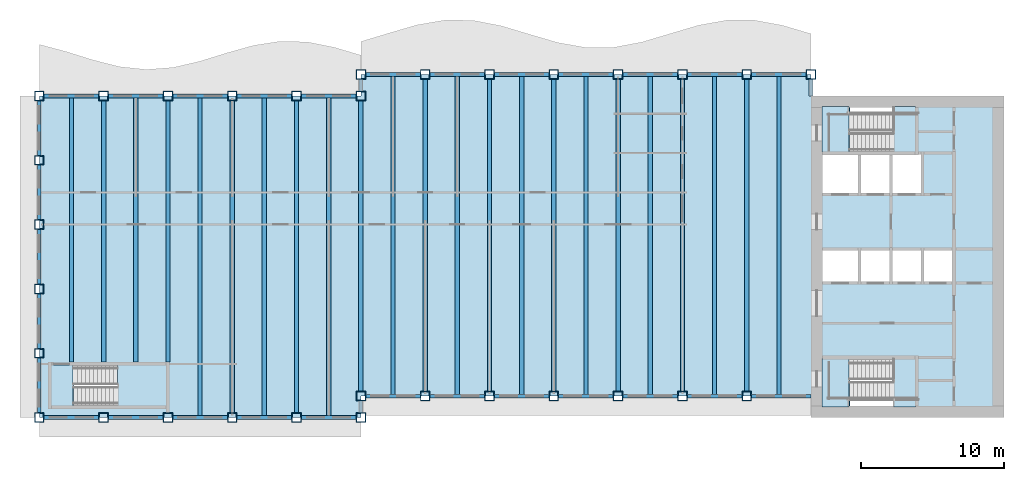
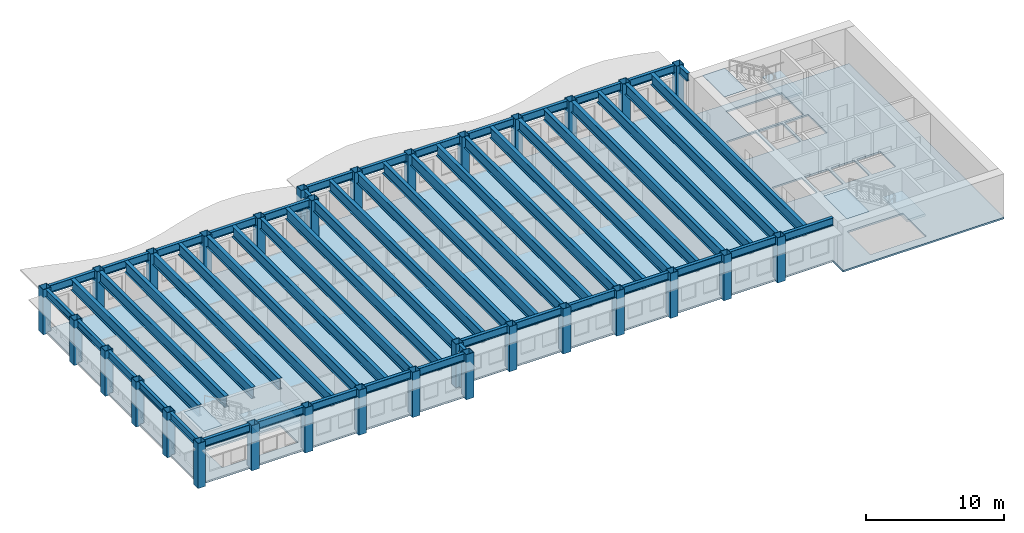
# One storey, part 1 of 12: 55 beams, 31 columns, 7 slabs, 3 elements without a shape of their own.
"""IFC4 building model written with IfcOpenShell, lengths in metres."""

from ifc_helpers import new_model, si_unit, direction, frame, origin, origin_2d, place, context, subcontext, project, spatial, polyline, hollow_rectangle, i_section, outline, extrude, material, layer, layer_set, material_profile, profile_set, type_object, element, aggregate, save


model = new_model("IFC4")

# Units and contexts
model_context = context("Model", 3, precision=1e-05, world=origin(), true_north=direction((0.0, 1.0)))
body_context = subcontext(model_context, "Body", "Model", "MODEL_VIEW")
ifc_project = project(units=[si_unit("LENGTHUNIT", "METRE"), si_unit("AREAUNIT", "SQUARE_METRE"), si_unit("VOLUMEUNIT", "CUBIC_METRE"), si_unit("PLANEANGLEUNIT", "RADIAN"), si_unit("MASSUNIT", "GRAM", prefix="KILO")], contexts=[model_context])

# Site, building, storey
site_placement = place(None, origin())
site = spatial("IfcSite", under=ifc_project, at=site_placement, CompositionType="ELEMENT")
building_placement = place(site_placement, origin())
building = spatial("IfcBuilding", under=site, at=building_placement, Name="Sennacour Bend Tower", CompositionType="ELEMENT")
storey_placement = place(building_placement, frame((0.0, 0.0, 281.0)))
storey = spatial("IfcBuildingStorey", under=building, at=storey_placement, Name="L65", CompositionType="ELEMENT", Elevation=281.0)

# Columns
ifc_material_1 = material(Name="Steel ASTM A572 Grade 50", Category="steel")
ifc_material_profile_1 = material_profile(ifc_material_1, hollow_rectangle(XDim=0.64990234375, YDim=0.64990234375, WallThickness=0.031982421875, at=origin_2d()), Name="Steel ASTM A572 Grade 50", Category="steel")
ifc_profile_set_1 = profile_set([ifc_material_profile_1], Name="Steel ASTM A572 Grade 50")
column_type = type_object("IfcColumnType", Name="Box column 650", PredefinedType="COLUMN", material=ifc_profile_set_1)
for number, where, z_axis, x_axis, name in (
    (1, (0.0, 0.0, -0.14990234375), (0.0, 0.0, 1.0), (1.0, 0.0, 0.0), "Perimeter column C5 L65-001"),
    (2, (0.0, 4.5, -0.14990234375), (0.0, 0.0, 1.0), (1.0, 0.0, 0.0), "Perimeter column C5 L65-002"),
    (3, (0.0, 9.0, -0.14990234375), (0.0, 0.0, 1.0), (1.0, 0.0, 0.0), "Perimeter column C5 L65-003"),
    (4, (0.0, 13.5, -0.14990234375), (0.0, 0.0, 1.0), (1.0, 0.0, 0.0), "Perimeter column C5 L65-004"),
    (5, (0.0, 18.0, -0.14990234375), (0.0, 0.0, 1.0), (1.0, 0.0, 0.0), "Perimeter column C5 L65-005"),
    (6, (0.0, 22.5, -0.14990234375), (0.0, 0.0, 1.0), (1.0, 0.0, 0.0), "Perimeter column C5 L65-006"),
    (7, (4.5, 0.0, -0.14990234375), (0.0, 0.0, 1.0), (1.0, 0.0, 0.0), "Perimeter column C5 L65-007"),
    (8, (4.5, 22.5, -0.14990234375), (0.0, 0.0, 1.0), (1.0, 0.0, 0.0), "Perimeter column C5 L65-008"),
    (9, (9.0, 0.0, -0.14990234375), (0.0, 0.0, 1.0), (1.0, 0.0, 0.0), "Perimeter column C5 L65-009"),
    (10, (9.0, 22.5, -0.14990234375), (0.0, 0.0, 1.0), (1.0, 0.0, 0.0), "Perimeter column C5 L65-010"),
    (11, (13.5, 0.0, -0.14990234375), (0.0, 0.0, 1.0), (1.0, 0.0, 0.0), "Perimeter column C5 L65-011"),
    (12, (13.5, 22.5, -0.14990234375), (0.0, 0.0, 1.0), (1.0, 0.0, 0.0), "Perimeter column C5 L65-012"),
    (13, (18.0, 0.0, -0.14990234375), (0.0, 0.0, 1.0), (1.0, 0.0, 0.0), "Perimeter column C5 L65-013"),
    (14, (18.0, 22.5, -0.14990234375), (0.0, 0.0, 1.0), (1.0, 0.0, 0.0), "Perimeter column C5 L65-014"),
    (15, (22.5, 0.0, -0.14990234375), (0.0, 0.0, 1.0), (1.0, 0.0, 0.0), "Perimeter column C5 L65-015"),
    (16, (22.5, 1.5, -0.14990234375), (0.0, 0.0, 1.0), (1.0, 0.0, 0.0), "Perimeter column C5 L65-016"),
    (17, (22.5, 22.5, -0.14990234375), (0.0, 0.0, 1.0), (1.0, 0.0, 0.0), "Perimeter column C5 L65-017"),
    (18, (22.5, 24.0, -0.14990234375), (0.0, 0.0, 1.0), (1.0, 0.0, 0.0), "Perimeter column C5 L65-018"),
    (19, (27.0, 1.5, -0.14990234375), (0.0, 0.0, 1.0), (1.0, 0.0, 0.0), "Perimeter column C5 L65-019"),
    (20, (27.0, 24.0, -0.14990234375), (0.0, 0.0, 1.0), (1.0, 0.0, 0.0), "Perimeter column C5 L65-020"),
    (21, (31.5, 1.5, -0.14990234375), (0.0, 0.0, 1.0), (1.0, 0.0, 0.0), "Perimeter column C5 L65-021"),
    (22, (31.5, 24.0, -0.14990234375), (0.0, 0.0, 1.0), (1.0, 0.0, 0.0), "Perimeter column C5 L65-022"),
    (23, (36.0, 1.5, -0.14990234375), (0.0, 0.0, 1.0), (1.0, 0.0, 0.0), "Perimeter column C5 L65-023"),
    (24, (36.0, 24.0, -0.14990234375), (0.0, 0.0, 1.0), (1.0, 0.0, 0.0), "Perimeter column C5 L65-024"),
    (25, (40.5, 1.5, -0.14990234375), (0.0, 0.0, 1.0), (1.0, 0.0, 0.0), "Perimeter column C5 L65-025"),
    (26, (40.5, 24.0, -0.14990234375), (0.0, 0.0, 1.0), (1.0, 0.0, 0.0), "Perimeter column C5 L65-026"),
    (27, (45.0, 1.5, -0.14990234375), (0.0, 0.0, 1.0), (1.0, 0.0, 0.0), "Perimeter column C5 L65-027"),
    (28, (45.0, 24.0, -0.14990234375), (0.0, 0.0, 1.0), (1.0, 0.0, 0.0), "Perimeter column C5 L65-028"),
    (29, (49.5, 1.5, -0.14990234375), (0.0, 0.0, 1.0), (1.0, 0.0, 0.0), "Perimeter column C5 L65-029"),
    (30, (49.5, 24.0, -0.14990234375), (0.0, 0.0, 1.0), (1.0, 0.0, 0.0), "Perimeter column C5 L65-030"),
    (31, (54.0, 24.0, -0.14990234375), (0.0, 0.0, 1.0), (1.0, 0.0, 0.0), "Perimeter column C5 L65-031"),
):
    element("IfcColumn", number, at=place(storey_placement, frame(where, z_axis=z_axis, x_axis=x_axis)), inside=storey, type_object=column_type, Name=name, PredefinedType="COLUMN", context=body_context, shape_type="SweptSolid", body=[
        extrude(hollow_rectangle(XDim=0.64990234375, YDim=0.64990234375, WallThickness=0.031982421875, at=origin_2d()), origin(), (0.0, 0.0, 1.0), 4.0),
    ])

# Beams
ifc_material_2 = material(Name="Steel ASTM A992 Grade 50", Category="steel")
ifc_material_profile_2 = material_profile(ifc_material_2, i_section(OverallWidth=0.300048828125, OverallDepth=0.97998046875, WebThickness=0.0166015625, FlangeThickness=0.026123046875, FilletRadius=0.02978515625, at=origin_2d()), Name="Steel ASTM A992 Grade 50", Category="steel")
ifc_profile_set_2 = profile_set([ifc_material_profile_2], Name="Steel ASTM A992 Grade 50")
beam_type_1 = type_object("IfcBeamType", Name="Floor beam W1000X249", PredefinedType="BEAM", material=ifc_profile_set_2)
beam_1_placement = place(storey_placement, frame((2.25, 3.875, 3.360107421875), z_axis=(0.0, 1.0, 0.0), x_axis=(-1.0, 0.0, 0.0)))
element("IfcBeam", 32, at=beam_1_placement, inside=storey, type_object=beam_type_1, Name="Floor beam FBM2 L66-001", PredefinedType="BEAM", context=body_context, shape_type="SweptSolid", body=[
    extrude(i_section(OverallWidth=0.300048828125, OverallDepth=0.97998046875, WebThickness=0.0166015625, FlangeThickness=0.026123046875, FilletRadius=0.02978515625, at=origin_2d()), origin(), (0.0, 0.0, 1.0), 18.498046875),
])
beam_2_placement = place(storey_placement, frame((4.5, 3.875, 3.360107421875), z_axis=(0.0, 1.0, 0.0), x_axis=(-1.0, 0.0, 0.0)))
element("IfcBeam", 33, at=beam_2_placement, inside=storey, type_object=beam_type_1, Name="Floor beam FBM2 L66-002", PredefinedType="BEAM", context=body_context, shape_type="SweptSolid", body=[
    extrude(i_section(OverallWidth=0.300048828125, OverallDepth=0.97998046875, WebThickness=0.0166015625, FlangeThickness=0.026123046875, FilletRadius=0.02978515625, at=origin_2d()), origin(), (0.0, 0.0, 1.0), 18.300048828125),
])
beam_3_placement = place(storey_placement, frame((6.75, 3.875, 3.360107421875), z_axis=(0.0, 1.0, 0.0), x_axis=(-1.0, 0.0, 0.0)))
element("IfcBeam", 34, at=beam_3_placement, inside=storey, type_object=beam_type_1, Name="Floor beam FBM2 L66-003", PredefinedType="BEAM", context=body_context, shape_type="SweptSolid", body=[
    extrude(i_section(OverallWidth=0.300048828125, OverallDepth=0.97998046875, WebThickness=0.0166015625, FlangeThickness=0.026123046875, FilletRadius=0.02978515625, at=origin_2d()), origin(), (0.0, 0.0, 1.0), 18.498046875),
])
beam_4_placement = place(storey_placement, frame((9.0, 3.875, 3.360107421875), z_axis=(0.0, 1.0, 0.0), x_axis=(-1.0, 0.0, 0.0)))
element("IfcBeam", 35, at=beam_4_placement, inside=storey, type_object=beam_type_1, Name="Floor beam FBM2 L66-004", PredefinedType="BEAM", context=body_context, shape_type="SweptSolid", body=[
    extrude(i_section(OverallWidth=0.300048828125, OverallDepth=0.97998046875, WebThickness=0.0166015625, FlangeThickness=0.026123046875, FilletRadius=0.02978515625, at=origin_2d()), origin(), (0.0, 0.0, 1.0), 18.300048828125),
])
beam_5_placement = place(storey_placement, frame((11.25, 0.126953125, 3.360107421875), z_axis=(0.0, 1.0, 0.0), x_axis=(-1.0, 0.0, 0.0)))
element("IfcBeam", 36, at=beam_5_placement, inside=storey, type_object=beam_type_1, Name="Floor beam FBM2 L66-005", PredefinedType="BEAM", context=body_context, shape_type="SweptSolid", body=[
    extrude(i_section(OverallWidth=0.300048828125, OverallDepth=0.97998046875, WebThickness=0.0166015625, FlangeThickness=0.026123046875, FilletRadius=0.02978515625, at=origin_2d()), origin(), (0.0, 0.0, 1.0), 22.24609375),
])
beam_6_placement = place(storey_placement, frame((13.5, 0.324951171875, 3.360107421875), z_axis=(0.0, 1.0, 0.0), x_axis=(-1.0, 0.0, 0.0)))
element("IfcBeam", 37, at=beam_6_placement, inside=storey, type_object=beam_type_1, Name="Floor beam FBM2 L66-006", PredefinedType="BEAM", context=body_context, shape_type="SweptSolid", body=[
    extrude(i_section(OverallWidth=0.300048828125, OverallDepth=0.97998046875, WebThickness=0.0166015625, FlangeThickness=0.026123046875, FilletRadius=0.02978515625, at=origin_2d()), origin(), (0.0, 0.0, 1.0), 21.85009765625),
])
beam_7_placement = place(storey_placement, frame((15.75, 0.126953125, 3.360107421875), z_axis=(0.0, 1.0, 0.0), x_axis=(-1.0, 0.0, 0.0)))
element("IfcBeam", 38, at=beam_7_placement, inside=storey, type_object=beam_type_1, Name="Floor beam FBM2 L66-007", PredefinedType="BEAM", context=body_context, shape_type="SweptSolid", body=[
    extrude(i_section(OverallWidth=0.300048828125, OverallDepth=0.97998046875, WebThickness=0.0166015625, FlangeThickness=0.026123046875, FilletRadius=0.02978515625, at=origin_2d()), origin(), (0.0, 0.0, 1.0), 22.24609375),
])
beam_8_placement = place(storey_placement, frame((18.0, 0.324951171875, 3.360107421875), z_axis=(0.0, 1.0, 0.0), x_axis=(-1.0, 0.0, 0.0)))
element("IfcBeam", 39, at=beam_8_placement, inside=storey, type_object=beam_type_1, Name="Floor beam FBM2 L66-008", PredefinedType="BEAM", context=body_context, shape_type="SweptSolid", body=[
    extrude(i_section(OverallWidth=0.300048828125, OverallDepth=0.97998046875, WebThickness=0.0166015625, FlangeThickness=0.026123046875, FilletRadius=0.02978515625, at=origin_2d()), origin(), (0.0, 0.0, 1.0), 21.85009765625),
])
beam_9_placement = place(storey_placement, frame((20.25, 0.126953125, 3.360107421875), z_axis=(0.0, 1.0, 0.0), x_axis=(-1.0, 0.0, 0.0)))
element("IfcBeam", 40, at=beam_9_placement, inside=storey, type_object=beam_type_1, Name="Floor beam FBM2 L66-009", PredefinedType="BEAM", context=body_context, shape_type="SweptSolid", body=[
    extrude(i_section(OverallWidth=0.300048828125, OverallDepth=0.97998046875, WebThickness=0.0166015625, FlangeThickness=0.026123046875, FilletRadius=0.02978515625, at=origin_2d()), origin(), (0.0, 0.0, 1.0), 22.24609375),
])
beam_10_placement = place(storey_placement, frame((22.5, 1.824951171875, 3.360107421875), z_axis=(0.0, 1.0, 0.0), x_axis=(-1.0, 0.0, 0.0)))
element("IfcBeam", 41, at=beam_10_placement, inside=storey, type_object=beam_type_1, Name="Floor beam FBM2 L66-010", PredefinedType="BEAM", context=body_context, shape_type="SweptSolid", body=[
    extrude(i_section(OverallWidth=0.300048828125, OverallDepth=0.97998046875, WebThickness=0.0166015625, FlangeThickness=0.026123046875, FilletRadius=0.02978515625, at=origin_2d()), origin(), (0.0, 0.0, 1.0), 20.35009765625),
])
beam_11_placement = place(storey_placement, frame((24.75, 1.626953125, 3.360107421875), z_axis=(0.0, 1.0, 0.0), x_axis=(-1.0, 0.0, 0.0)))
element("IfcBeam", 42, at=beam_11_placement, inside=storey, type_object=beam_type_1, Name="Floor beam FBM2 L66-011", PredefinedType="BEAM", context=body_context, shape_type="SweptSolid", body=[
    extrude(i_section(OverallWidth=0.300048828125, OverallDepth=0.97998046875, WebThickness=0.0166015625, FlangeThickness=0.026123046875, FilletRadius=0.02978515625, at=origin_2d()), origin(), (0.0, 0.0, 1.0), 22.24609375),
])
beam_12_placement = place(storey_placement, frame((27.0, 1.824951171875, 3.360107421875), z_axis=(0.0, 1.0, 0.0), x_axis=(-1.0, 0.0, 0.0)))
element("IfcBeam", 43, at=beam_12_placement, inside=storey, type_object=beam_type_1, Name="Floor beam FBM2 L66-012", PredefinedType="BEAM", context=body_context, shape_type="SweptSolid", body=[
    extrude(i_section(OverallWidth=0.300048828125, OverallDepth=0.97998046875, WebThickness=0.0166015625, FlangeThickness=0.026123046875, FilletRadius=0.02978515625, at=origin_2d()), origin(), (0.0, 0.0, 1.0), 21.85009765625),
])
beam_13_placement = place(storey_placement, frame((29.25, 1.626953125, 3.360107421875), z_axis=(0.0, 1.0, 0.0), x_axis=(-1.0, 0.0, 0.0)))
element("IfcBeam", 44, at=beam_13_placement, inside=storey, type_object=beam_type_1, Name="Floor beam FBM2 L66-013", PredefinedType="BEAM", context=body_context, shape_type="SweptSolid", body=[
    extrude(i_section(OverallWidth=0.300048828125, OverallDepth=0.97998046875, WebThickness=0.0166015625, FlangeThickness=0.026123046875, FilletRadius=0.02978515625, at=origin_2d()), origin(), (0.0, 0.0, 1.0), 22.24609375),
])
beam_14_placement = place(storey_placement, frame((31.5, 1.824951171875, 3.360107421875), z_axis=(0.0, 1.0, 0.0), x_axis=(-1.0, 0.0, 0.0)))
element("IfcBeam", 45, at=beam_14_placement, inside=storey, type_object=beam_type_1, Name="Floor beam FBM2 L66-014", PredefinedType="BEAM", context=body_context, shape_type="SweptSolid", body=[
    extrude(i_section(OverallWidth=0.300048828125, OverallDepth=0.97998046875, WebThickness=0.0166015625, FlangeThickness=0.026123046875, FilletRadius=0.02978515625, at=origin_2d()), origin(), (0.0, 0.0, 1.0), 21.85009765625),
])
beam_15_placement = place(storey_placement, frame((33.75, 1.626953125, 3.360107421875), z_axis=(0.0, 1.0, 0.0), x_axis=(-1.0, 0.0, 0.0)))
element("IfcBeam", 46, at=beam_15_placement, inside=storey, type_object=beam_type_1, Name="Floor beam FBM2 L66-015", PredefinedType="BEAM", context=body_context, shape_type="SweptSolid", body=[
    extrude(i_section(OverallWidth=0.300048828125, OverallDepth=0.97998046875, WebThickness=0.0166015625, FlangeThickness=0.026123046875, FilletRadius=0.02978515625, at=origin_2d()), origin(), (0.0, 0.0, 1.0), 22.24609375),
])
beam_16_placement = place(storey_placement, frame((36.0, 1.824951171875, 3.360107421875), z_axis=(0.0, 1.0, 0.0), x_axis=(-1.0, 0.0, 0.0)))
element("IfcBeam", 47, at=beam_16_placement, inside=storey, type_object=beam_type_1, Name="Floor beam FBM2 L66-016", PredefinedType="BEAM", context=body_context, shape_type="SweptSolid", body=[
    extrude(i_section(OverallWidth=0.300048828125, OverallDepth=0.97998046875, WebThickness=0.0166015625, FlangeThickness=0.026123046875, FilletRadius=0.02978515625, at=origin_2d()), origin(), (0.0, 0.0, 1.0), 21.85009765625),
])
beam_17_placement = place(storey_placement, frame((38.25, 1.626953125, 3.360107421875), z_axis=(0.0, 1.0, 0.0), x_axis=(-1.0, 0.0, 0.0)))
element("IfcBeam", 48, at=beam_17_placement, inside=storey, type_object=beam_type_1, Name="Floor beam FBM2 L66-017", PredefinedType="BEAM", context=body_context, shape_type="SweptSolid", body=[
    extrude(i_section(OverallWidth=0.300048828125, OverallDepth=0.97998046875, WebThickness=0.0166015625, FlangeThickness=0.026123046875, FilletRadius=0.02978515625, at=origin_2d()), origin(), (0.0, 0.0, 1.0), 22.24609375),
])
beam_18_placement = place(storey_placement, frame((40.5, 1.824951171875, 3.360107421875), z_axis=(0.0, 1.0, 0.0), x_axis=(-1.0, 0.0, 0.0)))
element("IfcBeam", 49, at=beam_18_placement, inside=storey, type_object=beam_type_1, Name="Floor beam FBM2 L66-018", PredefinedType="BEAM", context=body_context, shape_type="SweptSolid", body=[
    extrude(i_section(OverallWidth=0.300048828125, OverallDepth=0.97998046875, WebThickness=0.0166015625, FlangeThickness=0.026123046875, FilletRadius=0.02978515625, at=origin_2d()), origin(), (0.0, 0.0, 1.0), 21.85009765625),
])
beam_19_placement = place(storey_placement, frame((42.75, 1.626953125, 3.360107421875), z_axis=(0.0, 1.0, 0.0), x_axis=(-1.0, 0.0, 0.0)))
element("IfcBeam", 50, at=beam_19_placement, inside=storey, type_object=beam_type_1, Name="Floor beam FBM2 L66-019", PredefinedType="BEAM", context=body_context, shape_type="SweptSolid", body=[
    extrude(i_section(OverallWidth=0.300048828125, OverallDepth=0.97998046875, WebThickness=0.0166015625, FlangeThickness=0.026123046875, FilletRadius=0.02978515625, at=origin_2d()), origin(), (0.0, 0.0, 1.0), 22.24609375),
])
beam_20_placement = place(storey_placement, frame((45.0, 1.824951171875, 3.360107421875), z_axis=(0.0, 1.0, 0.0), x_axis=(-1.0, 0.0, 0.0)))
element("IfcBeam", 51, at=beam_20_placement, inside=storey, type_object=beam_type_1, Name="Floor beam FBM2 L66-020", PredefinedType="BEAM", context=body_context, shape_type="SweptSolid", body=[
    extrude(i_section(OverallWidth=0.300048828125, OverallDepth=0.97998046875, WebThickness=0.0166015625, FlangeThickness=0.026123046875, FilletRadius=0.02978515625, at=origin_2d()), origin(), (0.0, 0.0, 1.0), 21.85009765625),
])
beam_21_placement = place(storey_placement, frame((47.25, 1.626953125, 3.360107421875), z_axis=(0.0, 1.0, 0.0), x_axis=(-1.0, 0.0, 0.0)))
element("IfcBeam", 52, at=beam_21_placement, inside=storey, type_object=beam_type_1, Name="Floor beam FBM2 L66-021", PredefinedType="BEAM", context=body_context, shape_type="SweptSolid", body=[
    extrude(i_section(OverallWidth=0.300048828125, OverallDepth=0.97998046875, WebThickness=0.0166015625, FlangeThickness=0.026123046875, FilletRadius=0.02978515625, at=origin_2d()), origin(), (0.0, 0.0, 1.0), 22.24609375),
])
beam_22_placement = place(storey_placement, frame((49.5, 1.824951171875, 3.360107421875), z_axis=(0.0, 1.0, 0.0), x_axis=(-1.0, 0.0, 0.0)))
element("IfcBeam", 53, at=beam_22_placement, inside=storey, type_object=beam_type_1, Name="Floor beam FBM2 L66-022", PredefinedType="BEAM", context=body_context, shape_type="SweptSolid", body=[
    extrude(i_section(OverallWidth=0.300048828125, OverallDepth=0.97998046875, WebThickness=0.0166015625, FlangeThickness=0.026123046875, FilletRadius=0.02978515625, at=origin_2d()), origin(), (0.0, 0.0, 1.0), 21.85009765625),
])
beam_23_placement = place(storey_placement, frame((51.75, 1.626953125, 3.360107421875), z_axis=(0.0, 1.0, 0.0), x_axis=(-1.0, 0.0, 0.0)))
element("IfcBeam", 54, at=beam_23_placement, inside=storey, type_object=beam_type_1, Name="Floor beam FBM2 L66-023", PredefinedType="BEAM", context=body_context, shape_type="SweptSolid", body=[
    extrude(i_section(OverallWidth=0.300048828125, OverallDepth=0.97998046875, WebThickness=0.0166015625, FlangeThickness=0.026123046875, FilletRadius=0.02978515625, at=origin_2d()), origin(), (0.0, 0.0, 1.0), 22.24609375),
])
ifc_material_profile_3 = material_profile(ifc_material_2, i_section(OverallWidth=0.25390625, OverallDepth=0.68798828125, WebThickness=0.01318359375, FlangeThickness=0.02099609375, FilletRadius=0.01513671875, at=origin_2d()), Name="Steel ASTM A992 Grade 50", Category="steel")
ifc_profile_set_3 = profile_set([ifc_material_profile_3], Name="Steel ASTM A992 Grade 50")
beam_type_2 = type_object("IfcBeamType", Name="Spandrel beam W690X152", PredefinedType="SPANDREL", material=ifc_profile_set_3)
for number, where, z_axis, x_axis, name in (
    (55, (22.175048828125, 0.0, 3.506103515625), (-1.0, 0.0, 0.0), (0.0, -1.0, 0.0), "Spandrel beam SP6 L66-001"),
    (56, (17.675048828125, 0.0, 3.506103515625), (-1.0, 0.0, 0.0), (0.0, -1.0, 0.0), "Spandrel beam SP6 L66-002"),
    (57, (13.175048828125, 0.0, 3.506103515625), (-1.0, 0.0, 0.0), (0.0, -1.0, 0.0), "Spandrel beam SP6 L66-003"),
    (58, (8.675048828125, 0.0, 3.506103515625), (-1.0, 0.0, 0.0), (0.0, -1.0, 0.0), "Spandrel beam SP6 L66-004"),
    (59, (4.175048828125, 0.0, 3.506103515625), (-1.0, 0.0, 0.0), (0.0, -1.0, 0.0), "Spandrel beam SP6 L66-005"),
    (60, (0.0, 0.324951171875, 3.506103515625), (0.0, 1.0, 0.0), (-1.0, 0.0, 0.0), "Spandrel beam SP6 L66-006"),
    (61, (0.0, 4.824951171875, 3.506103515625), (0.0, 1.0, 0.0), (-1.0, 0.0, 0.0), "Spandrel beam SP6 L66-007"),
    (62, (0.0, 9.324951171875, 3.506103515625), (0.0, 1.0, 0.0), (-1.0, 0.0, 0.0), "Spandrel beam SP6 L66-008"),
    (63, (0.0, 13.824951171875, 3.506103515625), (0.0, 1.0, 0.0), (-1.0, 0.0, 0.0), "Spandrel beam SP6 L66-009"),
    (64, (0.0, 18.324951171875, 3.506103515625), (0.0, 1.0, 0.0), (-1.0, 0.0, 0.0), "Spandrel beam SP6 L66-010"),
    (65, (0.324951171875, 22.5, 3.506103515625), (1.0, 0.0, 0.0), (0.0, 1.0, 0.0), "Spandrel beam SP6 L66-011"),
    (66, (4.824951171875, 22.5, 3.506103515625), (1.0, 0.0, 0.0), (0.0, 1.0, 0.0), "Spandrel beam SP6 L66-012"),
    (67, (9.324951171875, 22.5, 3.506103515625), (1.0, 0.0, 0.0), (0.0, 1.0, 0.0), "Spandrel beam SP6 L66-013"),
    (68, (13.824951171875, 22.5, 3.506103515625), (1.0, 0.0, 0.0), (0.0, 1.0, 0.0), "Spandrel beam SP6 L66-014"),
    (69, (18.324951171875, 22.5, 3.506103515625), (1.0, 0.0, 0.0), (0.0, 1.0, 0.0), "Spandrel beam SP6 L66-015"),
):
    element("IfcBeam", number, at=place(storey_placement, frame(where, z_axis=z_axis, x_axis=x_axis)), inside=storey, type_object=beam_type_2, Name=name, PredefinedType="SPANDREL", context=body_context, shape_type="SweptSolid", body=[
        extrude(i_section(OverallWidth=0.25390625, OverallDepth=0.68798828125, WebThickness=0.01318359375, FlangeThickness=0.02099609375, FilletRadius=0.01513671875, at=origin_2d()), origin(), (0.0, 0.0, 1.0), 3.85009765625),
    ])
beam_24_placement = place(storey_placement, frame((22.5, 22.824951171875, 3.506103515625), z_axis=(0.0, 1.0, 0.0), x_axis=(-1.0, 0.0, 0.0)))
element("IfcBeam", 70, at=beam_24_placement, inside=storey, type_object=beam_type_2, Name="Spandrel beam SP6 L66-016", PredefinedType="SPANDREL", context=body_context, shape_type="SweptSolid", body=[
    extrude(i_section(OverallWidth=0.25390625, OverallDepth=0.68798828125, WebThickness=0.01318359375, FlangeThickness=0.02099609375, FilletRadius=0.01513671875, at=origin_2d()), origin(), (0.0, 0.0, 1.0), 0.85009765625),
])
for number, where, z_axis, x_axis, name in (
    (71, (22.824951171875, 24.0, 3.506103515625), (1.0, 0.0, 0.0), (0.0, 1.0, 0.0), "Spandrel beam SP6 L66-017"),
    (72, (27.324951171875, 24.0, 3.506103515625), (1.0, 0.0, 0.0), (0.0, 1.0, 0.0), "Spandrel beam SP6 L66-018"),
    (73, (31.824951171875, 24.0, 3.506103515625), (1.0, 0.0, 0.0), (0.0, 1.0, 0.0), "Spandrel beam SP6 L66-019"),
    (74, (36.324951171875, 24.0, 3.506103515625), (1.0, 0.0, 0.0), (0.0, 1.0, 0.0), "Spandrel beam SP6 L66-020"),
    (75, (40.824951171875, 24.0, 3.506103515625), (1.0, 0.0, 0.0), (0.0, 1.0, 0.0), "Spandrel beam SP6 L66-021"),
    (76, (45.324951171875, 24.0, 3.506103515625), (1.0, 0.0, 0.0), (0.0, 1.0, 0.0), "Spandrel beam SP6 L66-022"),
    (77, (49.824951171875, 24.0, 3.506103515625), (1.0, 0.0, 0.0), (0.0, 1.0, 0.0), "Spandrel beam SP6 L66-023"),
):
    element("IfcBeam", number, at=place(storey_placement, frame(where, z_axis=z_axis, x_axis=x_axis)), inside=storey, type_object=beam_type_2, Name=name, PredefinedType="SPANDREL", context=body_context, shape_type="SweptSolid", body=[
        extrude(i_section(OverallWidth=0.25390625, OverallDepth=0.68798828125, WebThickness=0.01318359375, FlangeThickness=0.02099609375, FilletRadius=0.01513671875, at=origin_2d()), origin(), (0.0, 0.0, 1.0), 3.85009765625),
    ])
beam_25_placement = place(storey_placement, frame((54.0, 23.675048828125, 3.506103515625), z_axis=(0.0, -1.0, 0.0), x_axis=(1.0, 0.0, 0.0)))
element("IfcBeam", 78, at=beam_25_placement, inside=storey, type_object=beam_type_2, Name="Spandrel beam SP6 L66-024", PredefinedType="SPANDREL", context=body_context, shape_type="SweptSolid", body=[
    extrude(i_section(OverallWidth=0.25390625, OverallDepth=0.68798828125, WebThickness=0.01318359375, FlangeThickness=0.02099609375, FilletRadius=0.01513671875, at=origin_2d()), origin(), (0.0, 0.0, 1.0), 1.175048828125),
])
beam_26_placement = place(storey_placement, frame((54.0, 1.5, 3.506103515625), z_axis=(-1.0, 0.0, 0.0), x_axis=(0.0, -1.0, 0.0)))
element("IfcBeam", 79, at=beam_26_placement, inside=storey, type_object=beam_type_2, Name="Spandrel beam SP6 L66-025", PredefinedType="SPANDREL", context=body_context, shape_type="SweptSolid", body=[
    extrude(i_section(OverallWidth=0.25390625, OverallDepth=0.68798828125, WebThickness=0.01318359375, FlangeThickness=0.02099609375, FilletRadius=0.01513671875, at=origin_2d()), origin(), (0.0, 0.0, 1.0), 4.175048828125),
])
for number, where, z_axis, x_axis, name in (
    (80, (49.175048828125, 1.5, 3.506103515625), (-1.0, 0.0, 0.0), (0.0, -1.0, 0.0), "Spandrel beam SP6 L66-026"),
    (81, (44.675048828125, 1.5, 3.506103515625), (-1.0, 0.0, 0.0), (0.0, -1.0, 0.0), "Spandrel beam SP6 L66-027"),
    (82, (40.175048828125, 1.5, 3.506103515625), (-1.0, 0.0, 0.0), (0.0, -1.0, 0.0), "Spandrel beam SP6 L66-028"),
    (83, (35.675048828125, 1.5, 3.506103515625), (-1.0, 0.0, 0.0), (0.0, -1.0, 0.0), "Spandrel beam SP6 L66-029"),
    (84, (31.175048828125, 1.5, 3.506103515625), (-1.0, 0.0, 0.0), (0.0, -1.0, 0.0), "Spandrel beam SP6 L66-030"),
    (85, (26.675048828125, 1.5, 3.506103515625), (-1.0, 0.0, 0.0), (0.0, -1.0, 0.0), "Spandrel beam SP6 L66-031"),
):
    element("IfcBeam", number, at=place(storey_placement, frame(where, z_axis=z_axis, x_axis=x_axis)), inside=storey, type_object=beam_type_2, Name=name, PredefinedType="SPANDREL", context=body_context, shape_type="SweptSolid", body=[
        extrude(i_section(OverallWidth=0.25390625, OverallDepth=0.68798828125, WebThickness=0.01318359375, FlangeThickness=0.02099609375, FilletRadius=0.01513671875, at=origin_2d()), origin(), (0.0, 0.0, 1.0), 3.85009765625),
    ])
beam_27_placement = place(storey_placement, frame((22.5, 1.175048828125, 3.506103515625), z_axis=(0.0, -1.0, 0.0), x_axis=(1.0, 0.0, 0.0)))
element("IfcBeam", 86, at=beam_27_placement, inside=storey, type_object=beam_type_2, Name="Spandrel beam SP6 L66-032", PredefinedType="SPANDREL", context=body_context, shape_type="SweptSolid", body=[
    extrude(i_section(OverallWidth=0.25390625, OverallDepth=0.68798828125, WebThickness=0.01318359375, FlangeThickness=0.02099609375, FilletRadius=0.01513671875, at=origin_2d()), origin(), (0.0, 0.0, 1.0), 0.85009765625),
])

# Slabs
ifc_material_3 = material(Name="Concrete C30/37", Category="concrete")
ifc_layer_1 = layer(ifc_material_3, 0.14990234375, Name="Concrete C30/37", Category="concrete")
ifc_layer_set_1 = layer_set([ifc_layer_1], Name="Concrete C30/37")
slab_type_1 = type_object("IfcSlabType", Name="Floor slab 150", PredefinedType="FLOOR", material=ifc_layer_set_1)
slab_1_placement = place(storey_placement, frame((0.0, 0.0, -0.14990234375)))
element("IfcSlab", 87, at=slab_1_placement, inside=storey, type_object=slab_type_1, Name="Floor slab L65-01", PredefinedType="FLOOR", context=body_context, shape_type="SweptSolid", body=[
    extrude(outline(polyline([(0.0, 0.0), (0.0, 22.5), (22.5, 22.5), (22.5, 24.0), (54.0, 24.0), (54.0, 22.5), (67.5, 22.5), (67.5, 0.0), (54.0, 0.0), (54.0, 1.5), (22.5, 1.5), (22.5, 0.0), (0.0, 0.0)]), holes=[polyline([(8.800048828125, 3.5), (2.429931640625, 3.5), (2.429931640625, 0.949951171875), (8.800048828125, 0.949951171875), (8.800048828125, 3.5)]), polyline([(61.39990234375, 4.125), (56.72998046875, 4.125), (56.72998046875, 0.75), (61.39990234375, 0.75), (61.39990234375, 4.125)]), polyline([(57.300048828125, 11.699951171875), (54.800048828125, 11.699951171875), (54.800048828125, 9.5), (57.300048828125, 9.5), (57.300048828125, 11.699951171875)]), polyline([(59.5, 9.5), (59.5, 11.699951171875), (57.5, 11.699951171875), (57.5, 9.5), (59.5, 9.5)]), polyline([(61.699951171875, 9.5), (61.699951171875, 11.699951171875), (59.699951171875, 11.699951171875), (59.699951171875, 9.5), (61.699951171875, 9.5)]), polyline([(63.89990234375, 11.699951171875), (61.89990234375, 11.699951171875), (61.89990234375, 9.5), (63.89990234375, 9.5), (63.89990234375, 11.699951171875)]), polyline([(57.300048828125, 18.39990234375), (54.800048828125, 18.39990234375), (54.800048828125, 15.699951171875), (57.300048828125, 15.699951171875), (57.300048828125, 18.39990234375)]), polyline([(59.5, 18.39990234375), (57.5, 18.39990234375), (57.5, 15.699951171875), (59.5, 15.699951171875), (59.5, 18.39990234375)]), polyline([(61.699951171875, 15.699951171875), (61.699951171875, 18.39990234375), (59.699951171875, 18.39990234375), (59.699951171875, 15.699951171875), (61.699951171875, 15.699951171875)]), polyline([(61.39990234375, 18.574951171875), (61.39990234375, 21.75), (56.72998046875, 21.75), (56.72998046875, 18.574951171875), (61.39990234375, 18.574951171875)])]), origin(), (0.0, 0.0, 1.0), 0.14990234375),
])
ifc_material_4 = material(Name="Concrete C40/50", Category="concrete")
ifc_layer_2 = layer(ifc_material_4, 0.034912109375, Name="Concrete C40/50", Category="concrete")
ifc_layer_set_2 = layer_set([ifc_layer_2], Name="Concrete C40/50")
slab_type_2 = type_object("IfcSlabType", Name="Stair arrival nib 35", PredefinedType="FLOOR", material=ifc_layer_set_2)
slab_2_placement = place(storey_placement, frame((0.0, 0.0, 3.815185546875)))
element("IfcSlab", 88, at=slab_2_placement, inside=storey, type_object=slab_type_2, Name="L65 SA1 stair arrival nib", PredefinedType="FLOOR", context=body_context, shape_type="SweptSolid", body=[
    extrude(outline(polyline([(56.64208984375, 4.125), (54.75, 4.125), (54.75, 0.75), (56.64208984375, 0.75), (56.64208984375, 4.125)])), origin(), (0.0, 0.0, 1.0), 0.034912109375),
])
slab_3_placement = place(storey_placement, frame((0.0, 0.0, 3.815185546875)))
element("IfcSlab", 89, at=slab_3_placement, inside=storey, type_object=slab_type_2, Name="L65 SA2 stair arrival nib", PredefinedType="FLOOR", context=body_context, shape_type="SweptSolid", body=[
    extrude(outline(polyline([(56.64208984375, 21.75), (54.75, 21.75), (54.75, 18.574951171875), (56.64208984375, 18.574951171875), (56.64208984375, 21.75)])), origin(), (0.0, 0.0, 1.0), 0.034912109375),
])
slab_4_placement = place(storey_placement, frame((0.0, 0.0, 3.815185546875)))
element("IfcSlab", 90, at=slab_4_placement, inside=storey, type_object=slab_type_2, Name="L65 SK1 stair arrival nib", PredefinedType="FLOOR", context=body_context, shape_type="SweptSolid", body=[
    extrude(outline(polyline([(2.342041015625, 3.675048828125), (0.800048828125, 3.675048828125), (0.800048828125, 0.800048828125), (2.342041015625, 0.800048828125), (2.342041015625, 3.675048828125)])), origin(), (0.0, 0.0, 1.0), 0.034912109375),
])

# Stair, slab
stair_type = type_object("IfcStairType", Name="ST-DOGLEG", PredefinedType="HALF_TURN_STAIR", material=ifc_material_4)
stair_1_placement = place(storey_placement, origin())
stair_1 = element("IfcStair", 91, at=stair_1_placement, inside=storey, type_object=stair_type, Name="L65 Exit stair A1", PredefinedType="HALF_TURN_STAIR")
ifc_layer_3 = layer(ifc_material_4, 0.199951171875, Name="Concrete C40/50", Category="concrete")
ifc_layer_set_3 = layer_set([ifc_layer_3], Name="Concrete C40/50")
slab_type_3 = type_object("IfcSlabType", Name="Stair landing 200", PredefinedType="LANDING", material=ifc_layer_set_3)
slab_5_placement = place(storey_placement, frame((0.0, 0.0, 1.800048828125)))
slab_5 = element("IfcSlab", 92, at=slab_5_placement, type_object=slab_type_3, Name="SA1 landing 1", PredefinedType="LANDING", context=body_context, shape_type="SweptSolid", body=[
    extrude(outline(polyline([(59.780029296875, 0.75), (61.324951171875, 0.75), (61.324951171875, 4.125), (59.780029296875, 4.125), (59.780029296875, 0.75)])), origin(), (0.0, 0.0, 1.0), 0.199951171875),
])
aggregate(stair_1, [slab_5])

stair_2_placement = place(storey_placement, origin())
stair_2 = element("IfcStair", 93, at=stair_2_placement, inside=storey, type_object=stair_type, Name="L65 Exit stair A2", PredefinedType="HALF_TURN_STAIR")
slab_6_placement = place(storey_placement, frame((0.0, 0.0, 1.800048828125)))
slab_6 = element("IfcSlab", 94, at=slab_6_placement, type_object=slab_type_3, Name="SA2 landing 1", PredefinedType="LANDING", context=body_context, shape_type="SweptSolid", body=[
    extrude(outline(polyline([(59.780029296875, 18.574951171875), (61.324951171875, 18.574951171875), (61.324951171875, 21.75), (59.780029296875, 21.75), (59.780029296875, 18.574951171875)])), origin(), (0.0, 0.0, 1.0), 0.199951171875),
])
aggregate(stair_2, [slab_6])

stair_3_placement = place(storey_placement, origin())
stair_3 = element("IfcStair", 95, at=stair_3_placement, inside=storey, type_object=stair_type, Name="L65 Exit stair K1", PredefinedType="HALF_TURN_STAIR")
slab_7_placement = place(storey_placement, frame((0.0, 0.0, 1.800048828125)))
slab_7 = element("IfcSlab", 96, at=slab_7_placement, type_object=slab_type_3, Name="SK1 landing 1", PredefinedType="LANDING", context=body_context, shape_type="SweptSolid", body=[
    extrude(outline(polyline([(5.47998046875, 0.800048828125), (8.925048828125, 0.800048828125), (8.925048828125, 3.675048828125), (5.47998046875, 3.675048828125), (5.47998046875, 0.800048828125)])), origin(), (0.0, 0.0, 1.0), 0.199951171875),
])
aggregate(stair_3, [slab_7])

save(model, "model.ifc")
